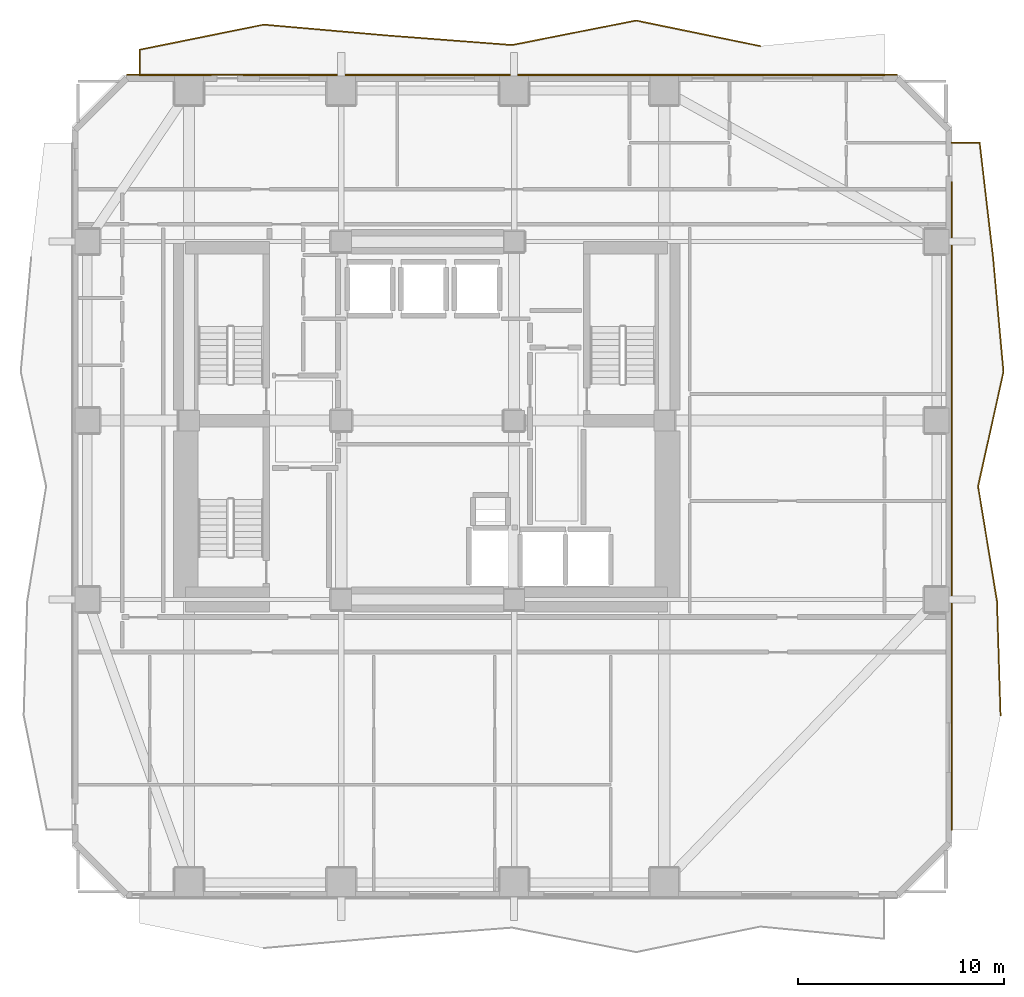
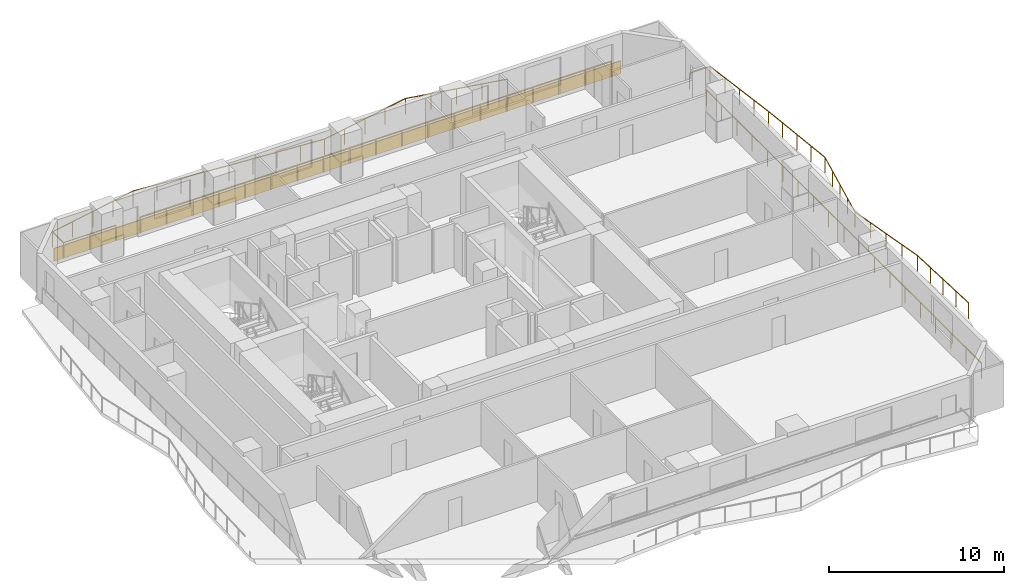
# One storey, part 9 of 9: 4 railings, 1 covering.
"""IFC4 building model written with IfcOpenShell, lengths in metres."""

import ifcopenshell
import ifcopenshell.guid

model = None  # the IFC model being written
_history = None  # IfcOwnerHistory: only IFC2X3 demands one
_inside = {}  # id of a spatial element -> (the spatial element, [elements in it])
_under = {}  # id of a project, library or spatial element -> (it, [spatial elements below it])
_declared = {}  # id of a project -> (the project, [libraries it declares])
_typed = {}  # id of a type object -> (the type object, [elements of that type])
_made_of = {}  # id of a material, layer set ... -> (it, [elements and type objects made of it])


def new_model(schema):
    """Start an empty IFC model of exactly this schema.

    Asked for "IFC4X3", IfcOpenShell would pick the latest addendum, in which some entities
    have other attributes; the version numbers below select the first issue.
    IFC2X3 requires an IfcOwnerHistory on every rooted entity: one is made here for all.
    """
    global model, _history
    if schema == "IFC4X3":
        model = ifcopenshell.file(schema_version=(4, 3, 0, 0))
    else:
        model = ifcopenshell.file(schema=schema)
    _inside.clear()
    _under.clear()
    _declared.clear()
    _typed.clear()
    _made_of.clear()
    _history = None
    if model.schema == "IFC2X3":
        org = make("IfcOrganization", Name="unknown")
        user = make(
            "IfcPersonAndOrganization",
            ThePerson=make("IfcPerson", FamilyName="unknown"),
            TheOrganization=org,
        )
        app = make(
            "IfcApplication",
            ApplicationDeveloper=org,
            Version="unknown",
            ApplicationFullName="unknown",
            ApplicationIdentifier="unknown",
        )
        _history = make(
            "IfcOwnerHistory",
            OwningUser=user,
            OwningApplication=app,
            ChangeAction="ADDED",
            CreationDate=0,
        )
    return model


def make(cls, **values):
    """One entity of the class cls with the attributes given. An attribute that is None is left unset."""
    return model.create_entity(
        cls, **{name: value for name, value in values.items() if value is not None}
    )


def rooted(cls, **values):
    """An entity with a GlobalId (a new one), such as an element, a storey or a relation."""
    return make(cls, GlobalId=ifcopenshell.guid.new(), OwnerHistory=_history, **values)


def si_unit(unit_type, name, prefix=None):
    """IfcSIUnit, for example si_unit("LENGTHUNIT", "METRE", prefix="MILLI")."""
    return make("IfcSIUnit", UnitType=unit_type, Prefix=prefix, Name=name)


def assignment(units):
    """IfcUnitAssignment: the units of a project."""
    return None if units is None else make("IfcUnitAssignment", Units=units)


def point(xyz):
    """IfcCartesianPoint."""
    return None if xyz is None else make("IfcCartesianPoint", Coordinates=xyz)


def direction(xyz):
    """IfcDirection."""
    return None if xyz is None else make("IfcDirection", DirectionRatios=xyz)


def frame(location, z_axis=None, x_axis=None):
    """IfcAxis2Placement3D, a coordinate frame: its origin and axes. An axis left out is left unset."""
    return make(
        "IfcAxis2Placement3D",
        Location=point(location),
        Axis=direction(z_axis),
        RefDirection=direction(x_axis),
    )


def frame_2d(location, x_axis=None):
    """IfcAxis2Placement2D, a coordinate frame in the plane: its origin and x axis."""
    return make(
        "IfcAxis2Placement2D", Location=point(location), RefDirection=direction(x_axis)
    )


def origin():
    """The frame at (0, 0, 0) with its axes left unset."""
    return frame((0.0, 0.0, 0.0))


def origin_2d():
    """The frame at (0, 0) in the plane with its x axis left unset."""
    return frame_2d((0.0, 0.0))


def place(relative_to, where):
    """IfcLocalPlacement: puts the frame where relative to a parent placement (None: the world)."""
    return make(
        "IfcLocalPlacement", PlacementRelTo=relative_to, RelativePlacement=where
    )


def context(
    kind, dimensions, precision=None, world=None, true_north=None, identifier=None
):
    """IfcGeometricRepresentationContext, for example the 3D "Model" context."""
    return make(
        "IfcGeometricRepresentationContext",
        ContextIdentifier=identifier,
        ContextType=kind,
        CoordinateSpaceDimension=dimensions,
        Precision=precision,
        WorldCoordinateSystem=world,
        TrueNorth=true_north,
    )


def subcontext(parent, identifier, kind, view, scale=None):
    """IfcGeometricRepresentationSubContext, for example "Body" below "Model"."""
    return make(
        "IfcGeometricRepresentationSubContext",
        ContextIdentifier=identifier,
        ContextType=kind,
        ParentContext=parent,
        TargetScale=scale,
        TargetView=view,
    )


def project(units=None, contexts=None):
    """IfcProject with its units and contexts."""
    return rooted(
        "IfcProject",
        Name="project",
        RepresentationContexts=contexts,
        UnitsInContext=assignment(units),
    )


def spatial(cls, under=None, at=None, **own):
    """A site, building, storey or space (cls), placed at a placement, below another one or the project."""
    s = rooted(cls, ObjectPlacement=at, **own)
    if under is not None:
        _under.setdefault(under.id(), (under, []))[1].append(s)
    return s


def profile(cls, at=None, kind="AREA", **sizes):
    """A parametric profile (cls). Its sizes go by their IFC names, for example OverallWidth=200.0."""
    return make(cls, ProfileType=kind, Position=at, **sizes)


def rectangle(**sizes):
    """IfcRectangleProfileDef."""
    return profile("IfcRectangleProfileDef", **sizes)


def extrude(swept, where, along, depth):
    """IfcExtrudedAreaSolid: the profile swept, set in the frame where, extruded along a direction by depth."""
    return make(
        "IfcExtrudedAreaSolid",
        SweptArea=swept,
        Position=where,
        ExtrudedDirection=direction(along),
        Depth=depth,
    )


def shape(context_of_items, identifier, shape_type, items):
    """IfcShapeRepresentation: the items that make up one representation, for example the "Body"."""
    return make(
        "IfcShapeRepresentation",
        ContextOfItems=context_of_items,
        RepresentationIdentifier=identifier,
        RepresentationType=shape_type,
        Items=items,
    )


def material(Name=None, Category=None):
    """IfcMaterial."""
    return make("IfcMaterial", Name=Name, Category=Category)


def layer(
    of_material, thickness, ventilated=None, Name=None, Category=None, Priority=None
):
    """IfcMaterialLayer: one layer of a wall or slab, of a material (None: an air gap)."""
    return make(
        "IfcMaterialLayer",
        Material=of_material,
        LayerThickness=thickness,
        IsVentilated=ventilated,
        Name=Name,
        Category=Category,
        Priority=Priority,
    )


def layer_set(layers, Name=None):
    """IfcMaterialLayerSet."""
    return make("IfcMaterialLayerSet", MaterialLayers=layers, LayerSetName=Name)


def made_of(thing, what):
    """Note that an element or type object is made of a material, layer set ...; save() writes the relation."""
    if what is not None:
        _made_of.setdefault(what.id(), (what, []))[1].append(thing)
    return thing


def type_object(cls, material=None, **own):
    """A type object (cls), such as IfcWallType, which elements share."""
    return made_of(rooted(cls, **own), material)


def element(
    cls,
    number,
    at=None,
    inside=None,
    cuts=None,
    type_object=None,
    material=None,
    context=None,
    identifier="Body",
    shape_type=None,
    held_by="IfcProductDefinitionShape",
    body=None,
    shapes=None,
    **own,
):
    """One element of the class cls, such as IfcWall. Its Tag is "e" and its number.

    at: its placement. inside: the storey or other place that contains it. cuts: it is an
    opening in that element (IfcRelVoidsElement). A single representation is given by context,
    identifier, shape_type and body (its items); several are given by shapes. held_by: the class
    of the entity that holds the representations. save() writes the other relations.
    """
    e = rooted(cls, Tag="e%d" % number, ObjectPlacement=at, **own)
    if body is not None:
        shapes = [shape(context, identifier, shape_type, body)]
    if shapes is not None:
        e.Representation = make(held_by, Representations=shapes)
    if inside is not None:
        _inside.setdefault(inside.id(), (inside, []))[1].append(e)
    if cuts is not None:
        rooted(
            "IfcRelVoidsElement", RelatingBuildingElement=cuts, RelatedOpeningElement=e
        )
    if type_object is not None:
        _typed.setdefault(type_object.id(), (type_object, []))[1].append(e)
    return made_of(e, material)


def aggregate(whole, parts):
    """IfcRelAggregates: a whole, such as a stair, and the parts it consists of."""
    return rooted("IfcRelAggregates", RelatingObject=whole, RelatedObjects=parts)


def save(model, path):
    """Write the relations noted so far, then the file.

    IfcRelAggregates (storeys below a building ...), IfcRelContainedInSpatialStructure (elements
    in a storey), IfcRelDefinesByType, IfcRelAssociatesMaterial and IfcRelDeclares: one each for
    every whole, place, type object, material and project.
    """
    for whole, parts in _under.values():
        aggregate(whole, parts)
    for where, things in _inside.values():
        rooted(
            "IfcRelContainedInSpatialStructure",
            RelatedElements=things,
            RelatingStructure=where,
        )
    for kind, things in _typed.values():
        rooted("IfcRelDefinesByType", RelatedObjects=things, RelatingType=kind)
    for what, things in _made_of.values():
        rooted("IfcRelAssociatesMaterial", RelatedObjects=things, RelatingMaterial=what)
    for by, libraries in _declared.values():
        rooted("IfcRelDeclares", RelatingContext=by, RelatedDefinitions=libraries)
    model.write(path)


model = new_model("IFC4")

# Units and contexts
model_context = context("Model", 3, precision=1e-05, world=origin(), true_north=direction((0.0, 1.0)))
body_context = subcontext(model_context, "Body", "Model", "MODEL_VIEW")
ifc_project = project(units=[si_unit("LENGTHUNIT", "METRE"), si_unit("AREAUNIT", "SQUARE_METRE"), si_unit("VOLUMEUNIT", "CUBIC_METRE"), si_unit("PLANEANGLEUNIT", "RADIAN"), si_unit("MASSUNIT", "GRAM", prefix="KILO")], contexts=[model_context])

# Site, building, storey
site_placement = place(None, origin())
site = spatial("IfcSite", under=ifc_project, at=site_placement, CompositionType="ELEMENT")
building_placement = place(site_placement, origin())
building = spatial("IfcBuilding", under=site, at=building_placement, Name="Solanera Arch Residences", CompositionType="ELEMENT")
storey_placement = place(building_placement, frame((0.0, 0.0, 55.199951171875)))
storey = spatial("IfcBuildingStorey", under=building, at=storey_placement, Name="L15", CompositionType="ELEMENT", Elevation=55.199951171875)

# Railings
ifc_material_1 = material(Name="Steel S355 (ASTM A992 / A572 Grade 50)", Category="steel")
railing_type = type_object("IfcRailingType", Name="Balustrade Railing BL-1100", PredefinedType="BALUSTRADE", material=ifc_material_1)
railing_1_placement = place(storey_placement, frame((41.1669921875, 48.906005859375, 0.0)))
element("IfcRailing", 1, at=railing_1_placement, inside=storey, type_object=railing_type, Name="L15 N Balcony Balustrade 1", PredefinedType="BALUSTRADE", context=body_context, shape_type="SweptSolid", body=[
    extrude(rectangle(XDim=0.048095703125, YDim=0.048095703125, at=origin_2d()), frame((0.0, 0.0, 1.09619140625), z_axis=(-0.979436549393, 0.201752436697, 0.0), x_axis=(-0.201752436697, -0.979436549393, 0.0)), (0.0, 0.0, 1.0), 6.16064453125),
    extrude(rectangle(XDim=0.048095703125, YDim=0.048095703125, at=origin_2d()), frame((-6.033935546875, 1.242919921875, 1.09619140625), z_axis=(-0.981067775795, -0.193664708443, 0.0), x_axis=(0.193664708443, -0.981067775795, 0.0)), (0.0, 0.0, 1.0), 6.1494140625),
    extrude(rectangle(XDim=0.048095703125, YDim=0.048095703125, at=origin_2d()), frame((-12.06689453125, 0.052001953125, 1.09619140625), z_axis=(-0.997069655629, 0.076499031526, 0.0), x_axis=(-0.076499031526, -0.997069655629, 0.0)), (0.0, 0.0, 1.0), 6.051025390625),
    extrude(rectangle(XDim=0.048095703125, YDim=0.048095703125, at=origin_2d()), frame((-18.10009765625, 0.514892578125, 1.09619140625), z_axis=(-0.996192186057, 0.087184450675, 0.0), x_axis=(-0.087184450675, -0.996192186057, 0.0)), (0.0, 0.0, 1.0), 6.056884765625),
    extrude(rectangle(XDim=0.048095703125, YDim=0.048095703125, at=origin_2d()), frame((-24.134033203125, 1.04296875, 1.09619140625), z_axis=(-0.980191253308, -0.19805329318, 0.0), x_axis=(0.19805329318, -0.980191253308, 0.0)), (0.0, 0.0, 1.0), 6.15478515625),
    extrude(rectangle(XDim=0.048095703125, YDim=0.048095703125, at=origin_2d()), frame((-30.1669921875, -0.176025390625, 1.09619140625), z_axis=(0.0, -1.0, 0.0), x_axis=(1.0, 0.0, 0.0)), (0.0, 0.0, 1.0), 1.25),
    extrude(rectangle(XDim=0.048095703125, YDim=0.048095703125, at=origin_2d()), frame((-30.1669921875, -1.426025390625, 1.09619140625), z_axis=(1.0, 0.0, 0.0), x_axis=(0.0, 1.0, 0.0)), (0.0, 0.0, 1.0), 3.468017578125),
    extrude(rectangle(XDim=0.0419921875, YDim=0.0419921875, at=origin_2d()), origin(), (0.0, 0.0, 1.0), 1.072021484375),
    extrude(rectangle(XDim=0.0419921875, YDim=0.0419921875, at=origin_2d()), frame((-1.508544921875, 0.310791015625, 0.0)), (0.0, 0.0, 1.0), 1.072021484375),
    extrude(rectangle(XDim=0.0419921875, YDim=0.0419921875, at=origin_2d()), frame((-3.01708984375, 0.62158203125, 0.0)), (0.0, 0.0, 1.0), 1.072021484375),
    extrude(rectangle(XDim=0.0419921875, YDim=0.0419921875, at=origin_2d()), frame((-4.525390625, 0.93212890625, 0.0)), (0.0, 0.0, 1.0), 1.072021484375),
    extrude(rectangle(XDim=0.0419921875, YDim=0.0419921875, at=origin_2d()), frame((-6.033935546875, 1.242919921875, 0.0)), (0.0, 0.0, 1.0), 1.072021484375),
    extrude(rectangle(XDim=0.0419921875, YDim=0.0419921875, at=origin_2d()), frame((-7.542236328125, 0.9453125, 0.0)), (0.0, 0.0, 1.0), 1.072021484375),
    extrude(rectangle(XDim=0.0419921875, YDim=0.0419921875, at=origin_2d()), frame((-9.05029296875, 0.6474609375, 0.0)), (0.0, 0.0, 1.0), 1.072021484375),
    extrude(rectangle(XDim=0.0419921875, YDim=0.0419921875, at=origin_2d()), frame((-10.55859375, 0.349609375, 0.0)), (0.0, 0.0, 1.0), 1.072021484375),
    extrude(rectangle(XDim=0.0419921875, YDim=0.0419921875, at=origin_2d()), frame((-12.06689453125, 0.052001953125, 0.0)), (0.0, 0.0, 1.0), 1.072021484375),
    extrude(rectangle(XDim=0.0419921875, YDim=0.0419921875, at=origin_2d()), frame((-13.5751953125, 0.167724609375, 0.0)), (0.0, 0.0, 1.0), 1.072021484375),
    extrude(rectangle(XDim=0.0419921875, YDim=0.0419921875, at=origin_2d()), frame((-15.08349609375, 0.283447265625, 0.0)), (0.0, 0.0, 1.0), 1.072021484375),
    extrude(rectangle(XDim=0.0419921875, YDim=0.0419921875, at=origin_2d()), frame((-16.591796875, 0.399169921875, 0.0)), (0.0, 0.0, 1.0), 1.072021484375),
    extrude(rectangle(XDim=0.0419921875, YDim=0.0419921875, at=origin_2d()), frame((-18.10009765625, 0.514892578125, 0.0)), (0.0, 0.0, 1.0), 1.072021484375),
    extrude(rectangle(XDim=0.0419921875, YDim=0.0419921875, at=origin_2d()), frame((-19.608642578125, 0.64697265625, 0.0)), (0.0, 0.0, 1.0), 1.072021484375),
    extrude(rectangle(XDim=0.0419921875, YDim=0.0419921875, at=origin_2d()), frame((-21.1171875, 0.77880859375, 0.0)), (0.0, 0.0, 1.0), 1.072021484375),
    extrude(rectangle(XDim=0.0419921875, YDim=0.0419921875, at=origin_2d()), frame((-22.62548828125, 0.910888671875, 0.0)), (0.0, 0.0, 1.0), 1.072021484375),
    extrude(rectangle(XDim=0.0419921875, YDim=0.0419921875, at=origin_2d()), frame((-24.134033203125, 1.04296875, 0.0)), (0.0, 0.0, 1.0), 1.072021484375),
    extrude(rectangle(XDim=0.0419921875, YDim=0.0419921875, at=origin_2d()), frame((-25.642333984375, 0.73828125, 0.0)), (0.0, 0.0, 1.0), 1.072021484375),
    extrude(rectangle(XDim=0.0419921875, YDim=0.0419921875, at=origin_2d()), frame((-27.150390625, 0.43359375, 0.0)), (0.0, 0.0, 1.0), 1.072021484375),
    extrude(rectangle(XDim=0.0419921875, YDim=0.0419921875, at=origin_2d()), frame((-28.65869140625, 0.128662109375, 0.0)), (0.0, 0.0, 1.0), 1.072021484375),
    extrude(rectangle(XDim=0.0419921875, YDim=0.0419921875, at=origin_2d()), frame((-30.1669921875, -0.176025390625, 0.0)), (0.0, 0.0, 1.0), 1.072021484375),
    extrude(rectangle(XDim=0.0419921875, YDim=0.0419921875, at=origin_2d()), frame((-30.1669921875, -1.426025390625, 0.0)), (0.0, 0.0, 1.0), 1.072021484375),
    extrude(rectangle(XDim=0.0419921875, YDim=0.0419921875, at=origin_2d()), frame((-28.43310546875, -1.426025390625, 0.0)), (0.0, 0.0, 1.0), 1.072021484375),
    extrude(rectangle(XDim=0.0419921875, YDim=0.0419921875, at=origin_2d()), frame((-26.698974609375, -1.426025390625, 0.0)), (0.0, 0.0, 1.0), 1.072021484375),
])
railing_2_placement = place(storey_placement, frame((16.068115234375, 47.47998046875, 0.0)))
element("IfcRailing", 2, at=railing_2_placement, inside=storey, type_object=railing_type, Name="L15 N Balcony Balustrade 2", PredefinedType="BALUSTRADE", context=body_context, shape_type="SweptSolid", body=[
    extrude(rectangle(XDim=0.048095703125, YDim=0.048095703125, at=origin_2d()), frame((0.0, 0.0, 1.09619140625), z_axis=(1.0, 0.0, 0.0), x_axis=(0.0, 1.0, 0.0)), (0.0, 0.0, 1.0), 31.1318359375),
    extrude(rectangle(XDim=0.0419921875, YDim=0.0419921875, at=origin_2d()), origin(), (0.0, 0.0, 1.0), 1.072021484375),
    extrude(rectangle(XDim=0.0419921875, YDim=0.0419921875, at=origin_2d()), frame((1.7294921875, 0.0, 0.0)), (0.0, 0.0, 1.0), 1.072021484375),
    extrude(rectangle(XDim=0.0419921875, YDim=0.0419921875, at=origin_2d()), frame((3.458984375, 0.0, 0.0)), (0.0, 0.0, 1.0), 1.072021484375),
    extrude(rectangle(XDim=0.0419921875, YDim=0.0419921875, at=origin_2d()), frame((5.188720703125, 0.0, 0.0)), (0.0, 0.0, 1.0), 1.072021484375),
    extrude(rectangle(XDim=0.0419921875, YDim=0.0419921875, at=origin_2d()), frame((6.918212890625, 0.0, 0.0)), (0.0, 0.0, 1.0), 1.072021484375),
    extrude(rectangle(XDim=0.0419921875, YDim=0.0419921875, at=origin_2d()), frame((8.647705078125, 0.0, 0.0)), (0.0, 0.0, 1.0), 1.072021484375),
    extrude(rectangle(XDim=0.0419921875, YDim=0.0419921875, at=origin_2d()), frame((10.377197265625, 0.0, 0.0)), (0.0, 0.0, 1.0), 1.072021484375),
    extrude(rectangle(XDim=0.0419921875, YDim=0.0419921875, at=origin_2d()), frame((12.10693359375, 0.0, 0.0)), (0.0, 0.0, 1.0), 1.072021484375),
    extrude(rectangle(XDim=0.0419921875, YDim=0.0419921875, at=origin_2d()), frame((13.83642578125, 0.0, 0.0)), (0.0, 0.0, 1.0), 1.072021484375),
    extrude(rectangle(XDim=0.0419921875, YDim=0.0419921875, at=origin_2d()), frame((15.56591796875, 0.0, 0.0)), (0.0, 0.0, 1.0), 1.072021484375),
    extrude(rectangle(XDim=0.0419921875, YDim=0.0419921875, at=origin_2d()), frame((17.29541015625, 0.0, 0.0)), (0.0, 0.0, 1.0), 1.072021484375),
    extrude(rectangle(XDim=0.0419921875, YDim=0.0419921875, at=origin_2d()), frame((19.02490234375, 0.0, 0.0)), (0.0, 0.0, 1.0), 1.072021484375),
    extrude(rectangle(XDim=0.0419921875, YDim=0.0419921875, at=origin_2d()), frame((20.754638671875, 0.0, 0.0)), (0.0, 0.0, 1.0), 1.072021484375),
    extrude(rectangle(XDim=0.0419921875, YDim=0.0419921875, at=origin_2d()), frame((22.484130859375, 0.0, 0.0)), (0.0, 0.0, 1.0), 1.072021484375),
    extrude(rectangle(XDim=0.0419921875, YDim=0.0419921875, at=origin_2d()), frame((24.213623046875, 0.0, 0.0)), (0.0, 0.0, 1.0), 1.072021484375),
    extrude(rectangle(XDim=0.0419921875, YDim=0.0419921875, at=origin_2d()), frame((25.943115234375, 0.0, 0.0)), (0.0, 0.0, 1.0), 1.072021484375),
    extrude(rectangle(XDim=0.0419921875, YDim=0.0419921875, at=origin_2d()), frame((27.6728515625, 0.0, 0.0)), (0.0, 0.0, 1.0), 1.072021484375),
    extrude(rectangle(XDim=0.0419921875, YDim=0.0419921875, at=origin_2d()), frame((29.40234375, 0.0, 0.0)), (0.0, 0.0, 1.0), 1.072021484375),
    extrude(rectangle(XDim=0.0419921875, YDim=0.0419921875, at=origin_2d()), frame((31.1318359375, 0.0, 0.0)), (0.0, 0.0, 1.0), 1.072021484375),
])
railing_3_placement = place(storey_placement, frame((52.85009765625, 16.366943359375, 0.0)))
element("IfcRailing", 3, at=railing_3_placement, inside=storey, type_object=railing_type, Name="L15 E Balcony Balustrade 1", PredefinedType="BALUSTRADE", context=body_context, shape_type="SweptSolid", body=[
    extrude(rectangle(XDim=0.048095703125, YDim=0.048095703125, at=origin_2d()), frame((0.0, 0.0, 1.09619140625), z_axis=(-0.031082829063, 0.999516812133, 0.0), x_axis=(-0.999516812133, -0.031082829063, 0.0)), (0.0, 0.0, 1.0), 5.56884765625),
    extrude(rectangle(XDim=0.048095703125, YDim=0.048095703125, at=origin_2d()), frame((-0.173095703125, 5.566162109375, 1.09619140625), z_axis=(-0.163037611253, 0.986619854512, 0.0), x_axis=(-0.986619854512, -0.163037611253, 0.0)), (0.0, 0.0, 1.0), 5.642333984375),
    extrude(rectangle(XDim=0.048095703125, YDim=0.048095703125, at=origin_2d()), frame((-1.093017578125, 11.133056640625, 1.09619140625), z_axis=(0.2165587064, 0.976269597336, 0.0), x_axis=(-0.976269597336, 0.2165587064, 0.0)), (0.0, 0.0, 1.0), 5.7021484375),
    extrude(rectangle(XDim=0.048095703125, YDim=0.048095703125, at=origin_2d()), frame((0.141845703125, 16.699951171875, 1.09619140625), z_axis=(-0.090508176503, 0.995895712405, 0.0), x_axis=(-0.995895712405, -0.090508176503, 0.0)), (0.0, 0.0, 1.0), 5.589111328125),
    extrude(rectangle(XDim=0.048095703125, YDim=0.048095703125, at=origin_2d()), frame((-0.364013671875, 22.26611328125, 1.09619140625), z_axis=(-0.116171484914, 0.993229170984, 0.0), x_axis=(-0.993229170984, -0.116171484914, 0.0)), (0.0, 0.0, 1.0), 5.604736328125),
    extrude(rectangle(XDim=0.048095703125, YDim=0.048095703125, at=origin_2d()), frame((-1.01513671875, 27.8330078125, 1.09619140625), z_axis=(-1.0, 0.0, 0.0), x_axis=(0.0, -1.0, 0.0)), (0.0, 0.0, 1.0), 1.35498046875),
    extrude(rectangle(XDim=0.0419921875, YDim=0.0419921875, at=origin_2d()), origin(), (0.0, 0.0, 1.0), 1.072021484375),
    extrude(rectangle(XDim=0.0419921875, YDim=0.0419921875, at=origin_2d()), frame((-0.043212890625, 1.3916015625, 0.0)), (0.0, 0.0, 1.0), 1.072021484375),
    extrude(rectangle(XDim=0.0419921875, YDim=0.0419921875, at=origin_2d()), frame((-0.08642578125, 2.783203125, 0.0)), (0.0, 0.0, 1.0), 1.072021484375),
    extrude(rectangle(XDim=0.0419921875, YDim=0.0419921875, at=origin_2d()), frame((-0.1298828125, 4.174560546875, 0.0)), (0.0, 0.0, 1.0), 1.072021484375),
    extrude(rectangle(XDim=0.0419921875, YDim=0.0419921875, at=origin_2d()), frame((-0.173095703125, 5.566162109375, 0.0)), (0.0, 0.0, 1.0), 1.072021484375),
    extrude(rectangle(XDim=0.0419921875, YDim=0.0419921875, at=origin_2d()), frame((-0.403076171875, 6.9580078125, 0.0)), (0.0, 0.0, 1.0), 1.072021484375),
    extrude(rectangle(XDim=0.0419921875, YDim=0.0419921875, at=origin_2d()), frame((-0.633056640625, 8.349609375, 0.0)), (0.0, 0.0, 1.0), 1.072021484375),
    extrude(rectangle(XDim=0.0419921875, YDim=0.0419921875, at=origin_2d()), frame((-0.863037109375, 9.7412109375, 0.0)), (0.0, 0.0, 1.0), 1.072021484375),
    extrude(rectangle(XDim=0.0419921875, YDim=0.0419921875, at=origin_2d()), frame((-1.093017578125, 11.133056640625, 0.0)), (0.0, 0.0, 1.0), 1.072021484375),
    extrude(rectangle(XDim=0.0419921875, YDim=0.0419921875, at=origin_2d()), frame((-0.7841796875, 12.52490234375, 0.0)), (0.0, 0.0, 1.0), 1.072021484375),
    extrude(rectangle(XDim=0.0419921875, YDim=0.0419921875, at=origin_2d()), frame((-0.4755859375, 13.91650390625, 0.0)), (0.0, 0.0, 1.0), 1.072021484375),
    extrude(rectangle(XDim=0.0419921875, YDim=0.0419921875, at=origin_2d()), frame((-0.1669921875, 15.30810546875, 0.0)), (0.0, 0.0, 1.0), 1.072021484375),
    extrude(rectangle(XDim=0.0419921875, YDim=0.0419921875, at=origin_2d()), frame((0.141845703125, 16.699951171875, 0.0)), (0.0, 0.0, 1.0), 1.072021484375),
    extrude(rectangle(XDim=0.0419921875, YDim=0.0419921875, at=origin_2d()), frame((0.015380859375, 18.091552734375, 0.0)), (0.0, 0.0, 1.0), 1.072021484375),
    extrude(rectangle(XDim=0.0419921875, YDim=0.0419921875, at=origin_2d()), frame((-0.111083984375, 19.48291015625, 0.0)), (0.0, 0.0, 1.0), 1.072021484375),
    extrude(rectangle(XDim=0.0419921875, YDim=0.0419921875, at=origin_2d()), frame((-0.237548828125, 20.87451171875, 0.0)), (0.0, 0.0, 1.0), 1.072021484375),
    extrude(rectangle(XDim=0.0419921875, YDim=0.0419921875, at=origin_2d()), frame((-0.364013671875, 22.26611328125, 0.0)), (0.0, 0.0, 1.0), 1.072021484375),
    extrude(rectangle(XDim=0.0419921875, YDim=0.0419921875, at=origin_2d()), frame((-0.52685546875, 23.65771484375, 0.0)), (0.0, 0.0, 1.0), 1.072021484375),
    extrude(rectangle(XDim=0.0419921875, YDim=0.0419921875, at=origin_2d()), frame((-0.689453125, 25.049560546875, 0.0)), (0.0, 0.0, 1.0), 1.072021484375),
    extrude(rectangle(XDim=0.0419921875, YDim=0.0419921875, at=origin_2d()), frame((-0.852294921875, 26.44140625, 0.0)), (0.0, 0.0, 1.0), 1.072021484375),
    extrude(rectangle(XDim=0.0419921875, YDim=0.0419921875, at=origin_2d()), frame((-1.01513671875, 27.8330078125, 0.0)), (0.0, 0.0, 1.0), 1.072021484375),
    extrude(rectangle(XDim=0.0419921875, YDim=0.0419921875, at=origin_2d()), frame((-2.3701171875, 27.8330078125, 0.0)), (0.0, 0.0, 1.0), 1.072021484375),
])
railing_4_placement = place(storey_placement, frame((50.47998046875, 42.283935546875, 0.0)))
element("IfcRailing", 4, at=railing_4_placement, inside=storey, type_object=railing_type, Name="L15 E Balcony Balustrade 2", PredefinedType="BALUSTRADE", context=body_context, shape_type="SweptSolid", body=[
    extrude(rectangle(XDim=0.048095703125, YDim=0.048095703125, at=origin_2d()), frame((0.0, 0.0, 1.09619140625), z_axis=(0.0, -1.0, 0.0), x_axis=(1.0, 0.0, 0.0)), (0.0, 0.0, 1.0), 31.48388671875),
    extrude(rectangle(XDim=0.0419921875, YDim=0.0419921875, at=origin_2d()), origin(), (0.0, 0.0, 1.0), 1.072021484375),
    extrude(rectangle(XDim=0.0419921875, YDim=0.0419921875, at=origin_2d()), frame((0.0, -1.7490234375, 0.0)), (0.0, 0.0, 1.0), 1.072021484375),
    extrude(rectangle(XDim=0.0419921875, YDim=0.0419921875, at=origin_2d()), frame((0.0, -3.498291015625, 0.0)), (0.0, 0.0, 1.0), 1.072021484375),
    extrude(rectangle(XDim=0.0419921875, YDim=0.0419921875, at=origin_2d()), frame((0.0, -5.247314453125, 0.0)), (0.0, 0.0, 1.0), 1.072021484375),
    extrude(rectangle(XDim=0.0419921875, YDim=0.0419921875, at=origin_2d()), frame((0.0, -6.996337890625, 0.0)), (0.0, 0.0, 1.0), 1.072021484375),
    extrude(rectangle(XDim=0.0419921875, YDim=0.0419921875, at=origin_2d()), frame((0.0, -8.74560546875, 0.0)), (0.0, 0.0, 1.0), 1.072021484375),
    extrude(rectangle(XDim=0.0419921875, YDim=0.0419921875, at=origin_2d()), frame((0.0, -10.49462890625, 0.0)), (0.0, 0.0, 1.0), 1.072021484375),
    extrude(rectangle(XDim=0.0419921875, YDim=0.0419921875, at=origin_2d()), frame((0.0, -12.24365234375, 0.0)), (0.0, 0.0, 1.0), 1.072021484375),
    extrude(rectangle(XDim=0.0419921875, YDim=0.0419921875, at=origin_2d()), frame((0.0, -13.992919921875, 0.0)), (0.0, 0.0, 1.0), 1.072021484375),
    extrude(rectangle(XDim=0.0419921875, YDim=0.0419921875, at=origin_2d()), frame((0.0, -15.741943359375, 0.0)), (0.0, 0.0, 1.0), 1.072021484375),
    extrude(rectangle(XDim=0.0419921875, YDim=0.0419921875, at=origin_2d()), frame((0.0, -17.490966796875, 0.0)), (0.0, 0.0, 1.0), 1.072021484375),
    extrude(rectangle(XDim=0.0419921875, YDim=0.0419921875, at=origin_2d()), frame((0.0, -19.240234375, 0.0)), (0.0, 0.0, 1.0), 1.072021484375),
    extrude(rectangle(XDim=0.0419921875, YDim=0.0419921875, at=origin_2d()), frame((0.0, -20.9892578125, 0.0)), (0.0, 0.0, 1.0), 1.072021484375),
    extrude(rectangle(XDim=0.0419921875, YDim=0.0419921875, at=origin_2d()), frame((0.0, -22.73828125, 0.0)), (0.0, 0.0, 1.0), 1.072021484375),
    extrude(rectangle(XDim=0.0419921875, YDim=0.0419921875, at=origin_2d()), frame((0.0, -24.487548828125, 0.0)), (0.0, 0.0, 1.0), 1.072021484375),
    extrude(rectangle(XDim=0.0419921875, YDim=0.0419921875, at=origin_2d()), frame((0.0, -26.236572265625, 0.0)), (0.0, 0.0, 1.0), 1.072021484375),
    extrude(rectangle(XDim=0.0419921875, YDim=0.0419921875, at=origin_2d()), frame((0.0, -27.985595703125, 0.0)), (0.0, 0.0, 1.0), 1.072021484375),
    extrude(rectangle(XDim=0.0419921875, YDim=0.0419921875, at=origin_2d()), frame((0.0, -29.73486328125, 0.0)), (0.0, 0.0, 1.0), 1.072021484375),
    extrude(rectangle(XDim=0.0419921875, YDim=0.0419921875, at=origin_2d()), frame((0.0, -31.48388671875, 0.0)), (0.0, 0.0, 1.0), 1.072021484375),
])

# Covering
ifc_material_2 = material(Name="Philippine Adobe Travertine Cladding", Category="masonry")
ifc_layer = layer(ifc_material_2, 0.06005859375)
ifc_layer_set = layer_set([ifc_layer], Name="Philippine Adobe Travertine Cladding")
covering_type = type_object("IfcCoveringType", Name="Precast Pier Stone Cladding CLD-60", PredefinedType="CLADDING", material=ifc_layer_set)
covering_placement = place(storey_placement, frame((10.364990234375, 47.514892578125, 0.0), z_axis=(0.0, 0.0, 1.0), x_axis=(1.0, 0.0, 0.0)))
element("IfcCovering", 5, at=covering_placement, inside=storey, type_object=covering_type, Name="L15 N Precast Spandrel Stone Band", PredefinedType="CLADDING", context=body_context, shape_type="SweptSolid", body=[
    extrude(rectangle(XDim=37.469970703125, YDim=0.06005859375, at=frame_2d((18.73486328125, 0.0))), origin(), (0.0, 0.0, 1.0), 0.900146484375),
])

save(model, "model.ifc")
